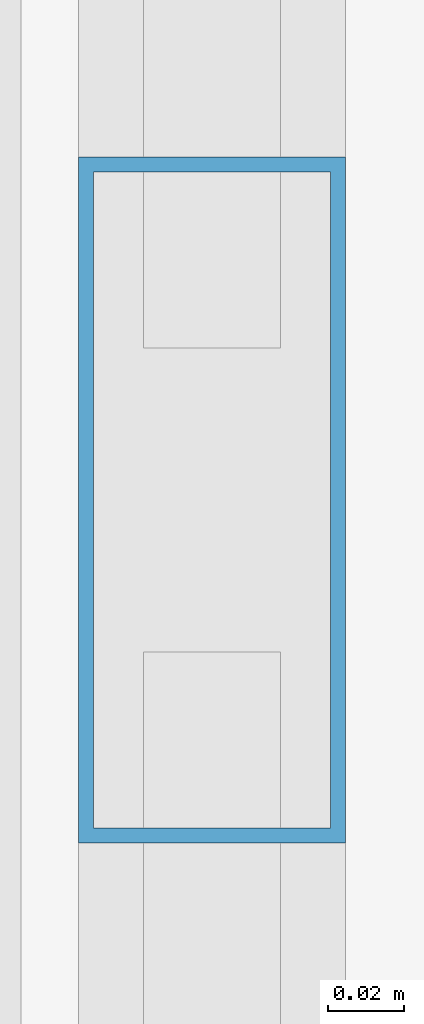
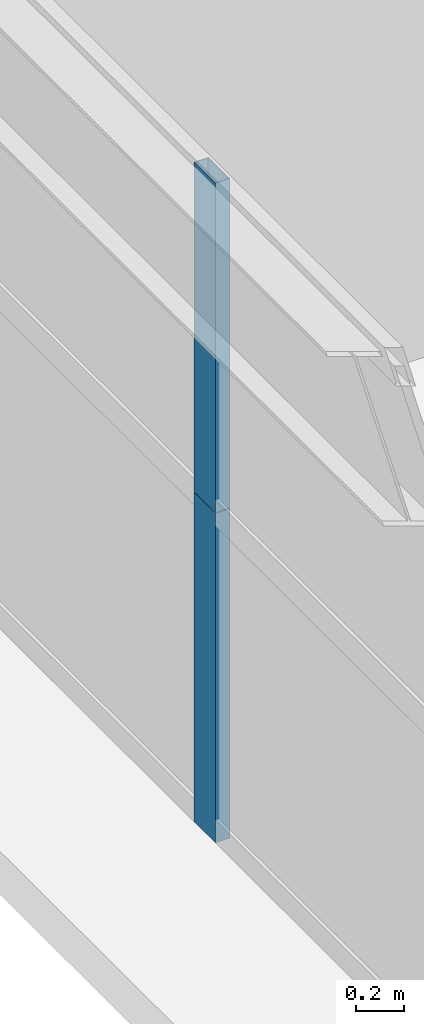
# One storey, part 10 of 43: 2 members, 1 element without a shape of its own.
"""IFC4 building model written with IfcOpenShell, lengths in metres."""

from ifc_helpers import new_model, si_unit, direction, frame, origin, origin_2d, place, context, subcontext, project, spatial, hollow_rectangle, extrude, source, transform, mapped, material, layer, layer_set, material_profile, profile_set, type_object, element, aggregate, save


model = new_model("IFC4")

# Units and contexts
model_context = context("Model", 3, precision=1e-05, world=origin(), true_north=direction((0.0, 1.0)))
body_context = subcontext(model_context, "Body", "Model", "MODEL_VIEW")
ifc_project = project(units=[si_unit("LENGTHUNIT", "METRE"), si_unit("AREAUNIT", "SQUARE_METRE"), si_unit("VOLUMEUNIT", "CUBIC_METRE"), si_unit("PLANEANGLEUNIT", "RADIAN"), si_unit("MASSUNIT", "GRAM", prefix="KILO"), si_unit("THERMODYNAMICTEMPERATUREUNIT", "KELVIN"), si_unit("POWERUNIT", "WATT")], contexts=[model_context])

# Site, building, storey
site_placement = place(None, origin())
site = spatial("IfcSite", under=ifc_project, at=site_placement, CompositionType="ELEMENT")
building_placement = place(site_placement, origin())
building = spatial("IfcBuilding", under=site, at=building_placement, Name="Yuzanri Waterfront Tower", CompositionType="ELEMENT")
storey_placement = place(building_placement, frame((0.0, 0.0, 71.199951171875)))
storey = spatial("IfcBuildingStorey", under=building, at=storey_placement, Name="L18", CompositionType="ELEMENT", Elevation=71.199951171875)

# Curtain wall, members
ifc_material_1 = material(Name="Anodized Architectural Bronze", Category="metal")
ifc_layer = layer(ifc_material_1, 0.159912109375)
ifc_layer_set = layer_set([ifc_layer], Name="Anodized Architectural Bronze")
curtain_wall_type = type_object("IfcCurtainWallType", Name="Anodized Bronze Hotel Lower-Tier Recessed Unitized Curtain Wall 8100", PredefinedType="NOTDEFINED", material=ifc_layer_set)
curtain_wall_placement = place(storey_placement, origin())
curtain_wall = element("IfcCurtainWall", 1, at=curtain_wall_placement, inside=storey, type_object=curtain_wall_type, Name="L18 Curtain Wall CW-L18-WL", PredefinedType="NOTDEFINED")
ifc_material_2 = material(Name="Anodized Architectural Bronze", Category="metal")
ifc_material_profile = material_profile(ifc_material_2, hollow_rectangle(XDim=0.070068359375, YDim=0.179931640625, WallThickness=0.00390625, at=origin_2d()), Name="CWM 70x180")
ifc_profile_set = profile_set([ifc_material_profile], Name="Anodized Architectural Bronze")
member_type = type_object("IfcMemberType", Name="Anodized Bronze Standard Curtain-Wall Mullion 70x180", PredefinedType="MULLION", material=ifc_profile_set)
shared_shape = source(origin(), body_context, "Body", "SweptSolid", [
    extrude(hollow_rectangle(XDim=0.070068359375, YDim=0.179931640625, WallThickness=0.00390625, at=origin_2d()), origin(), (0.0, 0.0, 1.0), 1.68798828125),
])
member_1_placement = place(storey_placement, frame((12.050048828125, 16.699951171875, 0.0), z_axis=(0.0, 0.0, 1.0), x_axis=(1.0, 0.0, 0.0)))
member_1 = element("IfcMember", 2, at=member_1_placement, type_object=member_type, Name="CW-L18-WL Lower Mullion 01", PredefinedType="MULLION", context=body_context, shape_type="MappedRepresentation", body=[
    mapped(shared_shape, transform((0.0, 0.0, 0.0), scale=1.0)),
])
member_2_placement = place(storey_placement, frame((12.050048828125, 16.699951171875, 1.692138671875), z_axis=(0.0, 0.0, 1.0), x_axis=(1.0, 0.0, 0.0)))
member_2 = element("IfcMember", 3, at=member_2_placement, type_object=member_type, Name="CW-L18-WL Upper Mullion 01", PredefinedType="MULLION", context=body_context, shape_type="MappedRepresentation", body=[
    mapped(shared_shape, transform((0.0, 0.0, 0.0), scale=1.0)),
])
aggregate(curtain_wall, [member_1, member_2])

save(model, "model.ifc")
